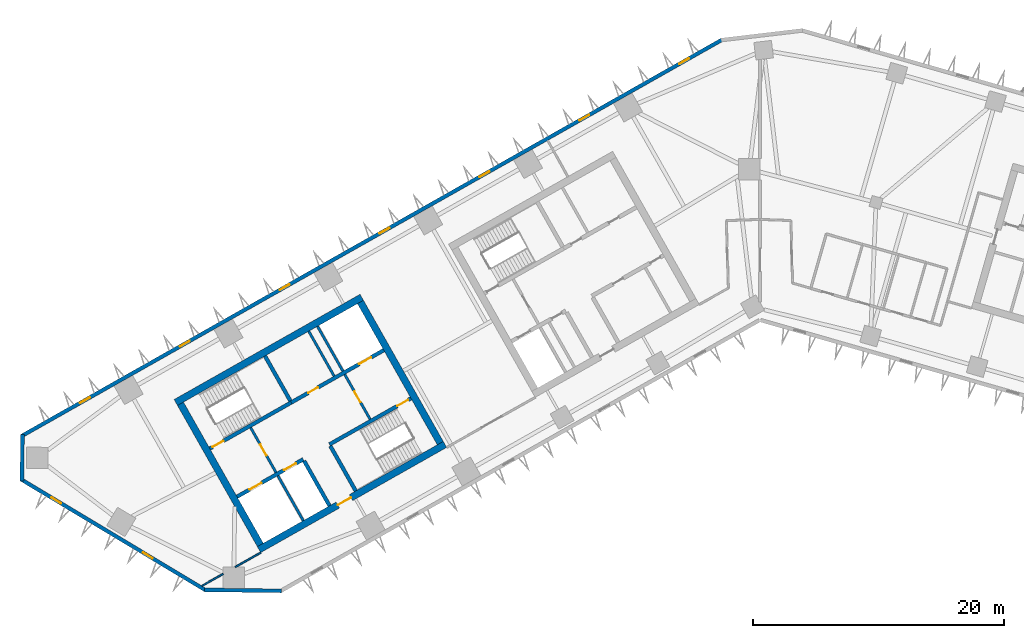
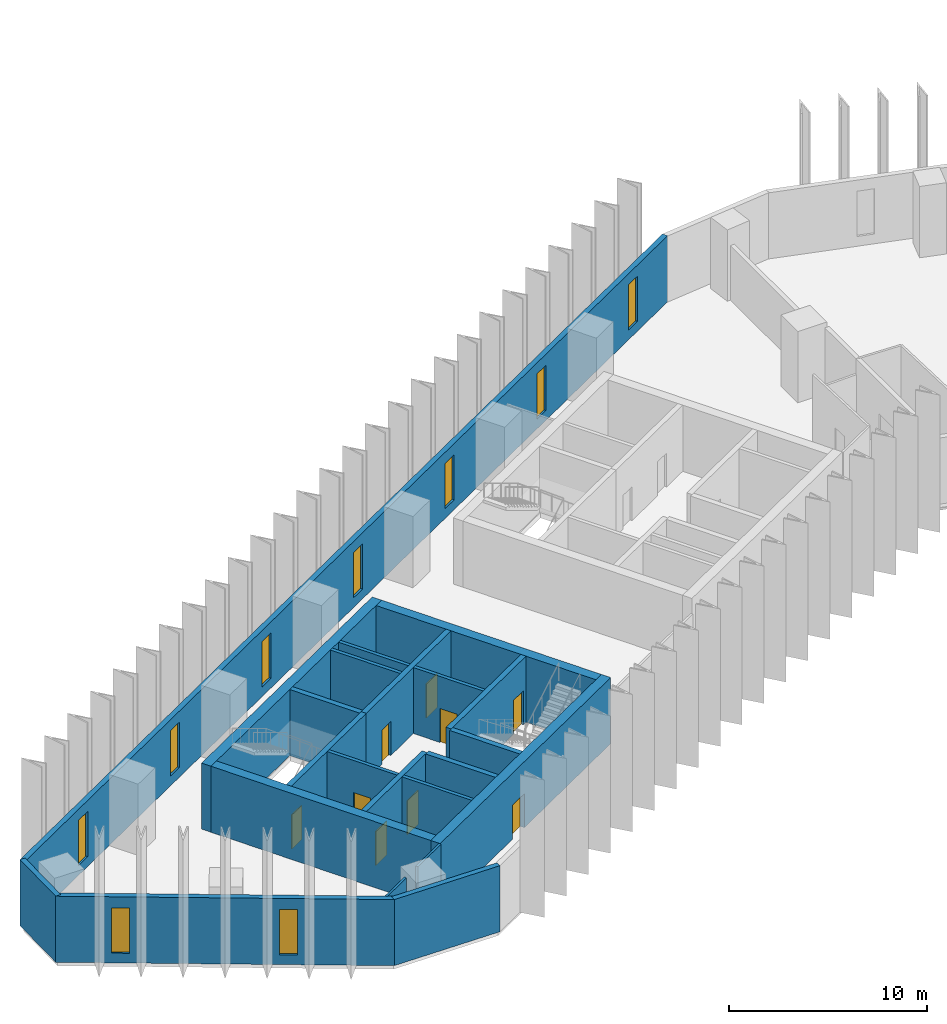
# One storey, part 3 of 11: 22 walls, 9 doors, 9 windows, 18 openings.
"""IFC4 building model written with IfcOpenShell, lengths in metres."""

from ifc_helpers import new_model, si_unit, direction, frame, frame_2d, origin, place, context, subcontext, project, spatial, rectangle, extrude, material, layer, layer_set, type_object, element, fill, save


model = new_model("IFC4")

# Units and contexts
model_context = context("Model", 3, precision=1e-05, world=origin(), true_north=direction((0.0, 1.0)))
body_context = subcontext(model_context, "Body", "Model", "MODEL_VIEW")
ifc_project = project(units=[si_unit("LENGTHUNIT", "METRE"), si_unit("AREAUNIT", "SQUARE_METRE"), si_unit("VOLUMEUNIT", "CUBIC_METRE"), si_unit("PLANEANGLEUNIT", "RADIAN"), si_unit("MASSUNIT", "GRAM", prefix="KILO")], contexts=[model_context])

# Site, building, storey
site_placement = place(None, origin())
site = spatial("IfcSite", under=ifc_project, at=site_placement, CompositionType="ELEMENT")
building_placement = place(site_placement, origin())
building = spatial("IfcBuilding", under=site, at=building_placement, Name="Binnacle Exchange Tower", CompositionType="ELEMENT")
storey_placement = place(building_placement, frame((0.0, 0.0, 132.300048828125)))
storey = spatial("IfcBuildingStorey", under=building, at=storey_placement, Name="L27", CompositionType="ELEMENT", Elevation=132.300048828125)

# Wall, openings, doors
ifc_material_1 = material(Name="Concrete C70/85", Category="concrete")
ifc_layer_1 = layer(ifc_material_1, 0.300048828125)
ifc_layer_set_1 = layer_set([ifc_layer_1], Name="Core wall - front 300")
wall_type_1 = type_object("IfcWallType", Name="Core wall - front 300", PredefinedType="SOLIDWALL", material=ifc_layer_set_1)
wall_1_placement = place(storey_placement, frame((-41.599609375, 33.936279296875, 0.0), z_axis=(0.0, 0.0, 1.0), x_axis=(0.870348557882, 0.492436176365, 0.0)))
wall_1 = element("IfcWall", 1, at=wall_1_placement, inside=storey, type_object=wall_type_1, Name="Core wall CRWA2", PredefinedType="SOLIDWALL", context=body_context, shape_type="SweptSolid", body=[
    extrude(rectangle(XDim=6.050048828125, YDim=0.300048828125, at=frame_2d((3.02490234375, 0.0))), origin(), (0.0, 0.0, 1.0), 4.079833984375),
])
opening_1_placement = place(wall_1_placement, frame((1.14990234375, 0.0, 0.0)))
opening_1 = element("IfcOpeningElement", 2, at=opening_1_placement, cuts=wall_1, Name="Opening LD12", PredefinedType="OPENING", context=body_context, shape_type="SweptSolid", body=[
    extrude(rectangle(XDim=1.10009765625, YDim=2.10009765625, at=frame_2d((0.550048828125, 1.050048828125))), frame((0.0, 0.159912109375, 0.0), z_axis=(0.0, -1.0, 0.0), x_axis=(1.0, 0.0, 0.0)), (0.0, 0.0, 1.0), 0.320068359375),
])
opening_2_placement = place(wall_1_placement, frame((4.300048828125, 0.0, 0.0)))
opening_2 = element("IfcOpeningElement", 3, at=opening_2_placement, cuts=wall_1, Name="Opening LD8", PredefinedType="OPENING", context=body_context, shape_type="SweptSolid", body=[
    extrude(rectangle(XDim=1.10009765625, YDim=2.10009765625, at=frame_2d((0.550048828125, 1.050048828125))), frame((0.0, 0.159912109375, 0.0), z_axis=(0.0, -1.0, 0.0), x_axis=(1.0, 0.0, 0.0)), (0.0, 0.0, 1.0), 0.320068359375),
])
ifc_material_2 = material(Name="Steel door leaf", Category="steel")
door_type_1 = type_object("IfcDoorType", Name="Fire door - lift landing 1100", OperationType="NOTDEFINED", PredefinedType="DOOR", material=ifc_material_2)
door_1_placement = place(opening_1_placement, origin())
door_1 = element("IfcDoor", 4, at=door_1_placement, inside=storey, type_object=door_type_1, Name="Landing door LD12 L27", OperationType="DOUBLE_DOOR_SLIDING", OverallHeight=2.10009765625, OverallWidth=1.10009765625, PredefinedType="DOOR", context=body_context, shape_type="SweptSolid", body=[
    extrude(rectangle(XDim=1.10009765625, YDim=2.10009765625, at=frame_2d((0.550048828125, 1.050048828125))), frame((0.0, 0.02490234375, 0.0), z_axis=(0.0, -1.0, 0.0), x_axis=(1.0, 0.0, 0.0)), (0.0, 0.0, 1.0), 0.050048828125),
])
fill(opening_1, door_1)
door_2_placement = place(opening_2_placement, origin())
door_2 = element("IfcDoor", 5, at=door_2_placement, inside=storey, type_object=door_type_1, Name="Landing door LD8 L27", OperationType="DOUBLE_DOOR_SLIDING", OverallHeight=2.10009765625, OverallWidth=1.10009765625, PredefinedType="DOOR", context=body_context, shape_type="SweptSolid", body=[
    extrude(rectangle(XDim=1.10009765625, YDim=2.10009765625, at=frame_2d((0.550048828125, 1.050048828125))), frame((0.0, 0.02490234375, 0.0), z_axis=(0.0, -1.0, 0.0), x_axis=(1.0, 0.0, 0.0)), (0.0, 0.0, 1.0), 0.050048828125),
])
fill(opening_2, door_2)

wall_2_placement = place(storey_placement, frame((-37.281982421875, 41.4345703125, 0.0), z_axis=(0.0, 0.0, 1.0), x_axis=(0.870359895813, 0.492416136779, 0.0)))
wall_2 = element("IfcWall", 6, at=wall_2_placement, inside=storey, type_object=wall_type_1, Name="Core wall CRWA5", PredefinedType="SOLIDWALL", context=body_context, shape_type="SweptSolid", body=[
    extrude(rectangle(XDim=8.449951171875, YDim=0.300048828125, at=frame_2d((4.22509765625, 0.0))), origin(), (0.0, 0.0, 1.0), 4.079833984375),
])
opening_3_placement = place(wall_2_placement, frame((6.199951171875, 0.0, 0.0)))
opening_3 = element("IfcOpeningElement", 7, at=opening_3_placement, cuts=wall_2, Name="Opening LD13", PredefinedType="OPENING", context=body_context, shape_type="SweptSolid", body=[
    extrude(rectangle(XDim=1.10009765625, YDim=2.10009765625, at=frame_2d((0.550048828125, 1.050048828125))), frame((0.0, 0.159912109375, 0.0), z_axis=(0.0, -1.0, 0.0), x_axis=(1.0, 0.0, 0.0)), (0.0, 0.0, 1.0), 0.320068359375),
])
opening_4_placement = place(wall_2_placement, frame((1.550048828125, 0.0, 0.0)))
opening_4 = element("IfcOpeningElement", 8, at=opening_4_placement, cuts=wall_2, Name="Opening DA10", PredefinedType="OPENING", context=body_context, shape_type="SweptSolid", body=[
    extrude(rectangle(XDim=0.89990234375, YDim=2.10009765625, at=frame_2d((0.449951171875, 1.050048828125))), frame((0.0, 0.159912109375, 0.0), z_axis=(0.0, -1.0, 0.0), x_axis=(1.0, 0.0, 0.0)), (0.0, 0.0, 1.0), 0.320068359375),
])
door_3_placement = place(opening_3_placement, origin())
door_3 = element("IfcDoor", 9, at=door_3_placement, inside=storey, type_object=door_type_1, Name="Landing door LD13 L27", OperationType="DOUBLE_DOOR_SLIDING", OverallHeight=2.10009765625, OverallWidth=1.10009765625, PredefinedType="DOOR", context=body_context, shape_type="SweptSolid", body=[
    extrude(rectangle(XDim=1.10009765625, YDim=2.10009765625, at=frame_2d((0.550048828125, 1.050048828125))), frame((0.0, 0.02490234375, 0.0), z_axis=(0.0, -1.0, 0.0), x_axis=(1.0, 0.0, 0.0)), (0.0, 0.0, 1.0), 0.050048828125),
])
fill(opening_3, door_3)
door_type_2 = type_object("IfcDoorType", Name="Fire door 900", OperationType="NOTDEFINED", PredefinedType="DOOR", material=ifc_material_2)
door_4_placement = place(opening_4_placement, origin())
door_4 = element("IfcDoor", 10, at=door_4_placement, inside=storey, type_object=door_type_2, Name="Core room door TELECOM RISER ROOM", OperationType="SINGLE_SWING_LEFT", OverallHeight=2.10009765625, OverallWidth=0.89990234375, PredefinedType="DOOR", context=body_context, shape_type="SweptSolid", body=[
    extrude(rectangle(XDim=0.89990234375, YDim=2.10009765625, at=frame_2d((0.449951171875, 1.050048828125))), frame((0.0, 0.02490234375, 0.0), z_axis=(0.0, -1.0, 0.0), x_axis=(1.0, 0.0, 0.0)), (0.0, 0.0, 1.0), 0.050048828125),
])
fill(opening_4, door_4)

# Wall
wall_3_placement = place(storey_placement, frame((-36.260009765625, 36.784912109375, 0.0), z_axis=(0.0, 0.0, 1.0), x_axis=(0.492408451753, -0.87036424366, 0.0)))
element("IfcWall", 11, at=wall_3_placement, inside=storey, type_object=wall_type_1, Name="Core wall CRWA13", PredefinedType="SOLIDWALL", context=body_context, shape_type="SweptSolid", body=[
    extrude(rectangle(XDim=4.099853515625, YDim=0.300048828125, at=frame_2d((2.0498046875, 0.0))), origin(), (0.0, 0.0, 1.0), 4.079833984375),
])

# Wall, opening, door
ifc_layer_2 = layer(ifc_material_1, 0.550048828125)
ifc_layer_set_2 = layer_set([ifc_layer_2], Name="Core wall - outer 550")
wall_type_2 = type_object("IfcWallType", Name="Core wall - outer 550", PredefinedType="SOLIDWALL", material=ifc_layer_set_2)
wall_4_placement = place(storey_placement, frame((-39.85009765625, 29.727294921875, 0.0), z_axis=(0.0, 0.0, 1.0), x_axis=(0.870359753402, 0.492416388494, 0.0)))
wall_4 = element("IfcWall", 12, at=wall_4_placement, inside=storey, type_object=wall_type_2, Name="Core wall CRWA1", PredefinedType="SOLIDWALL", context=body_context, shape_type="SweptSolid", body=[
    extrude(rectangle(XDim=17.0, YDim=0.550048828125, at=frame_2d((8.5, 0.0))), origin(), (0.0, 0.0, 1.0), 4.079833984375),
])
opening_5_placement = place(wall_4_placement, frame((7.199951171875, 0.0, 0.0)))
opening_5 = element("IfcOpeningElement", 13, at=opening_5_placement, cuts=wall_4, Name="Opening DA7", PredefinedType="OPENING", context=body_context, shape_type="SweptSolid", body=[
    extrude(rectangle(XDim=1.199951171875, YDim=2.10009765625, at=frame_2d((0.60009765625, 1.050048828125))), frame((0.0, 0.284912109375, 0.0), z_axis=(0.0, -1.0, 0.0), x_axis=(1.0, 0.0, 0.0)), (0.0, 0.0, 1.0), 0.570068359375),
])
door_type_3 = type_object("IfcDoorType", Name="Fire door 1200", OperationType="NOTDEFINED", PredefinedType="DOOR", material=ifc_material_2)
door_5_placement = place(opening_5_placement, frame((1.199951171875, 0.0, 0.0), z_axis=(0.0, 0.0, 1.0), x_axis=(-1.0, 0.0, 0.0)))
door_5 = element("IfcDoor", 14, at=door_5_placement, inside=storey, type_object=door_type_3, Name="Lift lobby entrance door core A", OperationType="SINGLE_SWING_RIGHT", OverallHeight=2.10009765625, OverallWidth=1.199951171875, PredefinedType="DOOR", context=body_context, shape_type="SweptSolid", body=[
    extrude(rectangle(XDim=1.199951171875, YDim=2.10009765625, at=frame_2d((0.60009765625, 1.050048828125))), frame((0.0, 0.02490234375, 0.0), z_axis=(0.0, -1.0, 0.0), x_axis=(1.0, 0.0, 0.0)), (0.0, 0.0, 1.0), 0.050048828125),
])
fill(opening_5, door_5)

# Walls
wall_5_placement = place(storey_placement, frame((-46.47314453125, 41.43359375, 0.0), z_axis=(0.0, 0.0, 1.0), x_axis=(0.870359753402, 0.492416388494, 0.0)))
element("IfcWall", 15, at=wall_5_placement, inside=storey, type_object=wall_type_2, Name="Core wall CRWA6", PredefinedType="SOLIDWALL", context=body_context, shape_type="SweptSolid", body=[
    extrude(rectangle(XDim=17.0, YDim=0.550048828125, at=frame_2d((8.5, 0.0))), origin(), (0.0, 0.0, 1.0), 4.079833984375),
])
wall_6_placement = place(storey_placement, frame((-46.098388671875, 41.32958984375, 0.0), z_axis=(0.0, 0.0, 1.0), x_axis=(0.492418910884, -0.870358326325, 0.0)))
element("IfcWall", 16, at=wall_6_placement, inside=storey, type_object=wall_type_2, Name="Core wall CRWA7", PredefinedType="SOLIDWALL", context=body_context, shape_type="SweptSolid", body=[
    extrude(rectangle(XDim=12.900146484375, YDim=0.550048828125, at=frame_2d((6.4501953125, 0.0))), origin(), (0.0, 0.0, 1.0), 4.079833984375),
])
wall_7_placement = place(storey_placement, frame((-31.781005859375, 49.429931640625, 0.0), z_axis=(0.0, 0.0, 1.0), x_axis=(0.492427022044, -0.870353737259, 0.0)))
element("IfcWall", 17, at=wall_7_placement, inside=storey, type_object=wall_type_2, Name="Core wall CRWA22", PredefinedType="SOLIDWALL", context=body_context, shape_type="SweptSolid", body=[
    extrude(rectangle(XDim=12.89990234375, YDim=0.550048828125, at=frame_2d((6.449951171875, 0.0))), origin(), (0.0, 0.0, 1.0), 4.079833984375),
])

# Wall, opening, door
ifc_layer_3 = layer(ifc_material_1, 0.300048828125)
ifc_layer_set_3 = layer_set([ifc_layer_3], Name="Core wall - stair 300")
wall_type_3 = type_object("IfcWallType", Name="Core wall - stair 300", PredefinedType="SOLIDWALL", material=ifc_layer_set_3)
wall_8_placement = place(storey_placement, frame((-34.2451171875, 38.097412109375, 0.0), z_axis=(0.0, 0.0, 1.0), x_axis=(0.870360741098, 0.49241464271, 0.0)))
wall_8 = element("IfcWall", 18, at=wall_8_placement, inside=storey, type_object=wall_type_3, Name="Core wall CRWA3", PredefinedType="SOLIDWALL", context=body_context, shape_type="SweptSolid", body=[
    extrude(rectangle(XDim=7.449951171875, YDim=0.300048828125, at=frame_2d((3.72509765625, 0.0))), origin(), (0.0, 0.0, 1.0), 4.079833984375),
])
opening_6_placement = place(wall_8_placement, frame((6.199951171875, 0.0, 0.0)))
opening_6 = element("IfcOpeningElement", 19, at=opening_6_placement, cuts=wall_8, Name="Opening DA2", PredefinedType="OPENING", context=body_context, shape_type="SweptSolid", body=[
    extrude(rectangle(XDim=1.0, YDim=2.10009765625, at=frame_2d((0.5, 1.050048828125))), frame((0.0, 0.159912109375, 0.0), z_axis=(0.0, -1.0, 0.0), x_axis=(1.0, 0.0, 0.0)), (0.0, 0.0, 1.0), 0.320068359375),
])
door_type_4 = type_object("IfcDoorType", Name="Fire door 1000", OperationType="NOTDEFINED", PredefinedType="DOOR", material=ifc_material_2)
door_6_placement = place(opening_6_placement, frame((1.0, 0.0, 0.0), z_axis=(0.0, 0.0, 1.0), x_axis=(-1.0, 0.0, 0.0)))
door_6 = element("IfcDoor", 20, at=door_6_placement, inside=storey, type_object=door_type_4, Name="Stair door ST-A2", OperationType="SINGLE_SWING_LEFT", OverallHeight=2.10009765625, OverallWidth=1.0, PredefinedType="DOOR", context=body_context, shape_type="SweptSolid", body=[
    extrude(rectangle(XDim=1.0, YDim=2.10009765625, at=frame_2d((0.5, 1.050048828125))), frame((0.0, 0.02490234375, 0.0), z_axis=(0.0, -1.0, 0.0), x_axis=(1.0, 0.0, 0.0)), (0.0, 0.0, 1.0), 0.050048828125),
])
fill(opening_6, door_6)

wall_9_placement = place(storey_placement, frame((-43.76611328125, 37.765869140625, 0.0), z_axis=(0.0, 0.0, 1.0), x_axis=(0.870346696097, 0.492439466932, 0.0)))
wall_9 = element("IfcWall", 21, at=wall_9_placement, inside=storey, type_object=wall_type_3, Name="Core wall CRWA4", PredefinedType="SOLIDWALL", context=body_context, shape_type="SweptSolid", body=[
    extrude(rectangle(XDim=7.449951171875, YDim=0.300048828125, at=frame_2d((3.72509765625, 0.0))), origin(), (0.0, 0.0, 1.0), 4.079833984375),
])
opening_7_placement = place(wall_9_placement, frame((0.25, 0.0, 0.0)))
opening_7 = element("IfcOpeningElement", 22, at=opening_7_placement, cuts=wall_9, Name="Opening DA1", PredefinedType="OPENING", context=body_context, shape_type="SweptSolid", body=[
    extrude(rectangle(XDim=1.0, YDim=2.10009765625, at=frame_2d((0.5, 1.050048828125))), frame((0.0, 0.159912109375, 0.0), z_axis=(0.0, -1.0, 0.0), x_axis=(1.0, 0.0, 0.0)), (0.0, 0.0, 1.0), 0.320068359375),
])
door_7_placement = place(opening_7_placement, origin())
door_7 = element("IfcDoor", 23, at=door_7_placement, inside=storey, type_object=door_type_4, Name="Stair door ST-A1", OperationType="SINGLE_SWING_LEFT", OverallHeight=2.10009765625, OverallWidth=1.0, PredefinedType="DOOR", context=body_context, shape_type="SweptSolid", body=[
    extrude(rectangle(XDim=1.0, YDim=2.10009765625, at=frame_2d((0.5, 1.050048828125))), frame((0.0, 0.02490234375, 0.0), z_axis=(0.0, -1.0, 0.0), x_axis=(1.0, 0.0, 0.0)), (0.0, 0.0, 1.0), 0.050048828125),
])
fill(opening_7, door_7)

# Walls
for number, where, z_axis, x_axis, name in (
    (24, (-39.375, 45.133544921875, 0.0), (0.0, 0.0, 1.0), (0.492428039142, -0.870353161807, 0.0), "Core wall CRWA14"),
    (25, (-34.171142578125, 37.966796875, 0.0), (0.0, 0.0, 1.0), (0.492382931784, -0.870378681085, 0.0), "Core wall CRWA16"),
):
    element("IfcWall", number, at=place(storey_placement, frame(where, z_axis=z_axis, x_axis=x_axis)), inside=storey, type_object=wall_type_3, Name=name, PredefinedType="SOLIDWALL", context=body_context, shape_type="SweptSolid", body=[
        extrude(rectangle(XDim=4.10009765625, YDim=0.300048828125, at=frame_2d((2.050048828125, 0.0))), origin(), (0.0, 0.0, 1.0), 4.079833984375),
    ])

# Wall, openings, windows
ifc_material_3 = material(Name="Bronze aluminium cladding", Category="aluminium")
ifc_layer_4 = layer(ifc_material_3, 0.300048828125)
ifc_layer_set_4 = layer_set([ifc_layer_4], Name="External wall - spandrel 300")
wall_type_4 = type_object("IfcWallType", Name="External wall - spandrel 300", PredefinedType="STANDARD", material=ifc_layer_set_4)
wall_10_placement = place(storey_placement, frame((-58.744873046875, 38.763671875, 0.0), z_axis=(0.0, 0.0, 1.0), x_axis=(0.870355811726, 0.492423355453, 0.0)))
wall_10 = element("IfcWall", 26, at=wall_10_placement, inside=storey, type_object=wall_type_4, Name="External wall EW-F03 L27", PredefinedType="STANDARD", context=body_context, shape_type="SweptSolid", body=[
    extrude(rectangle(XDim=64.025390625, YDim=0.300048828125, at=frame_2d((32.0126953125, 0.0))), origin(), (0.0, 0.0, 1.0), 4.079833984375),
])
opening_8_placement = place(wall_10_placement, frame((60.12158203125, 0.0, 0.60009765625)))
opening_8 = element("IfcOpeningElement", 27, at=opening_8_placement, cuts=wall_10, Name="Opening WS2", PredefinedType="OPENING", context=body_context, shape_type="SweptSolid", body=[
    extrude(rectangle(XDim=0.89990234375, YDim=2.800048828125, at=frame_2d((0.449951171875, 1.39990234375))), frame((0.0, 0.159912109375, 0.0), z_axis=(0.0, -1.0, 0.0), x_axis=(1.0, 0.0, 0.0)), (0.0, 0.0, 1.0), 0.320068359375),
])
opening_9_placement = place(wall_10_placement, frame((50.99169921875, 0.0, 0.60009765625)))
opening_9 = element("IfcOpeningElement", 28, at=opening_9_placement, cuts=wall_10, Name="Opening WS2", PredefinedType="OPENING", context=body_context, shape_type="SweptSolid", body=[
    extrude(rectangle(XDim=0.89990234375, YDim=2.800048828125, at=frame_2d((0.449951171875, 1.39990234375))), frame((0.0, 0.159912109375, 0.0), z_axis=(0.0, -1.0, 0.0), x_axis=(1.0, 0.0, 0.0)), (0.0, 0.0, 1.0), 0.320068359375),
])
opening_10_placement = place(wall_10_placement, frame((41.86181640625, 0.0, 0.60009765625)))
opening_10 = element("IfcOpeningElement", 29, at=opening_10_placement, cuts=wall_10, Name="Opening WS2", PredefinedType="OPENING", context=body_context, shape_type="SweptSolid", body=[
    extrude(rectangle(XDim=0.89990234375, YDim=2.800048828125, at=frame_2d((0.449951171875, 1.39990234375))), frame((0.0, 0.159912109375, 0.0), z_axis=(0.0, -1.0, 0.0), x_axis=(1.0, 0.0, 0.0)), (0.0, 0.0, 1.0), 0.320068359375),
])
opening_11_placement = place(wall_10_placement, frame((32.73193359375, 0.0, 0.60009765625)))
opening_11 = element("IfcOpeningElement", 30, at=opening_11_placement, cuts=wall_10, Name="Opening WS2", PredefinedType="OPENING", context=body_context, shape_type="SweptSolid", body=[
    extrude(rectangle(XDim=0.89990234375, YDim=2.800048828125, at=frame_2d((0.449951171875, 1.39990234375))), frame((0.0, 0.159912109375, 0.0), z_axis=(0.0, -1.0, 0.0), x_axis=(1.0, 0.0, 0.0)), (0.0, 0.0, 1.0), 0.320068359375),
])
opening_12_placement = place(wall_10_placement, frame((23.60205078125, 0.0, 0.60009765625)))
opening_12 = element("IfcOpeningElement", 31, at=opening_12_placement, cuts=wall_10, Name="Opening WS2", PredefinedType="OPENING", context=body_context, shape_type="SweptSolid", body=[
    extrude(rectangle(XDim=0.89990234375, YDim=2.800048828125, at=frame_2d((0.449951171875, 1.39990234375))), frame((0.0, 0.159912109375, 0.0), z_axis=(0.0, -1.0, 0.0), x_axis=(1.0, 0.0, 0.0)), (0.0, 0.0, 1.0), 0.320068359375),
])
opening_13_placement = place(wall_10_placement, frame((14.47216796875, 0.0, 0.60009765625)))
opening_13 = element("IfcOpeningElement", 32, at=opening_13_placement, cuts=wall_10, Name="Opening WS2", PredefinedType="OPENING", context=body_context, shape_type="SweptSolid", body=[
    extrude(rectangle(XDim=0.89990234375, YDim=2.800048828125, at=frame_2d((0.449951171875, 1.39990234375))), frame((0.0, 0.159912109375, 0.0), z_axis=(0.0, -1.0, 0.0), x_axis=(1.0, 0.0, 0.0)), (0.0, 0.0, 1.0), 0.320068359375),
])
opening_14_placement = place(wall_10_placement, frame((5.34228515625, 0.0, 0.60009765625)))
opening_14 = element("IfcOpeningElement", 33, at=opening_14_placement, cuts=wall_10, Name="Opening WS2", PredefinedType="OPENING", context=body_context, shape_type="SweptSolid", body=[
    extrude(rectangle(XDim=0.89990234375, YDim=2.800048828125, at=frame_2d((0.449951171875, 1.39990234375))), frame((0.0, 0.159912109375, 0.0), z_axis=(0.0, -1.0, 0.0), x_axis=(1.0, 0.0, 0.0)), (0.0, 0.0, 1.0), 0.320068359375),
])
ifc_material_4 = material(Name="Bronze anodised aluminium frame", Category="aluminium")
window_type = type_object("IfcWindowType", Name="WS2 WINDOW 900x2800", PartitioningType="SINGLE_PANEL", PredefinedType="WINDOW", material=ifc_material_4)
window_1_placement = place(opening_8_placement, origin())
window_1 = element("IfcWindow", 34, at=window_1_placement, inside=storey, type_object=window_type, Name="Window WS2 L27", OverallHeight=2.800048828125, OverallWidth=0.89990234375, PartitioningType="SINGLE_PANEL", PredefinedType="WINDOW", context=body_context, shape_type="SweptSolid", body=[
    extrude(rectangle(XDim=0.89990234375, YDim=2.800048828125, at=frame_2d((0.449951171875, 1.39990234375))), frame((0.0, 0.030029296875, 0.0), z_axis=(0.0, -1.0, 0.0), x_axis=(1.0, 0.0, 0.0)), (0.0, 0.0, 1.0), 0.06005859375),
])
fill(opening_8, window_1)
window_2_placement = place(opening_9_placement, origin())
window_2 = element("IfcWindow", 35, at=window_2_placement, inside=storey, type_object=window_type, Name="Window WS2 L27", OverallHeight=2.800048828125, OverallWidth=0.89990234375, PartitioningType="SINGLE_PANEL", PredefinedType="WINDOW", context=body_context, shape_type="SweptSolid", body=[
    extrude(rectangle(XDim=0.89990234375, YDim=2.800048828125, at=frame_2d((0.449951171875, 1.39990234375))), frame((0.0, 0.030029296875, 0.0), z_axis=(0.0, -1.0, 0.0), x_axis=(1.0, 0.0, 0.0)), (0.0, 0.0, 1.0), 0.06005859375),
])
fill(opening_9, window_2)
window_3_placement = place(opening_10_placement, origin())
window_3 = element("IfcWindow", 36, at=window_3_placement, inside=storey, type_object=window_type, Name="Window WS2 L27", OverallHeight=2.800048828125, OverallWidth=0.89990234375, PartitioningType="SINGLE_PANEL", PredefinedType="WINDOW", context=body_context, shape_type="SweptSolid", body=[
    extrude(rectangle(XDim=0.89990234375, YDim=2.800048828125, at=frame_2d((0.449951171875, 1.39990234375))), frame((0.0, 0.030029296875, 0.0), z_axis=(0.0, -1.0, 0.0), x_axis=(1.0, 0.0, 0.0)), (0.0, 0.0, 1.0), 0.06005859375),
])
fill(opening_10, window_3)
window_4_placement = place(opening_11_placement, origin())
window_4 = element("IfcWindow", 37, at=window_4_placement, inside=storey, type_object=window_type, Name="Window WS2 L27", OverallHeight=2.800048828125, OverallWidth=0.89990234375, PartitioningType="SINGLE_PANEL", PredefinedType="WINDOW", context=body_context, shape_type="SweptSolid", body=[
    extrude(rectangle(XDim=0.89990234375, YDim=2.800048828125, at=frame_2d((0.449951171875, 1.39990234375))), frame((0.0, 0.030029296875, 0.0), z_axis=(0.0, -1.0, 0.0), x_axis=(1.0, 0.0, 0.0)), (0.0, 0.0, 1.0), 0.06005859375),
])
fill(opening_11, window_4)
window_5_placement = place(opening_12_placement, origin())
window_5 = element("IfcWindow", 38, at=window_5_placement, inside=storey, type_object=window_type, Name="Window WS2 L27", OverallHeight=2.800048828125, OverallWidth=0.89990234375, PartitioningType="SINGLE_PANEL", PredefinedType="WINDOW", context=body_context, shape_type="SweptSolid", body=[
    extrude(rectangle(XDim=0.89990234375, YDim=2.800048828125, at=frame_2d((0.449951171875, 1.39990234375))), frame((0.0, 0.030029296875, 0.0), z_axis=(0.0, -1.0, 0.0), x_axis=(1.0, 0.0, 0.0)), (0.0, 0.0, 1.0), 0.06005859375),
])
fill(opening_12, window_5)
window_6_placement = place(opening_13_placement, origin())
window_6 = element("IfcWindow", 39, at=window_6_placement, inside=storey, type_object=window_type, Name="Window WS2 L27", OverallHeight=2.800048828125, OverallWidth=0.89990234375, PartitioningType="SINGLE_PANEL", PredefinedType="WINDOW", context=body_context, shape_type="SweptSolid", body=[
    extrude(rectangle(XDim=0.89990234375, YDim=2.800048828125, at=frame_2d((0.449951171875, 1.39990234375))), frame((0.0, 0.030029296875, 0.0), z_axis=(0.0, -1.0, 0.0), x_axis=(1.0, 0.0, 0.0)), (0.0, 0.0, 1.0), 0.06005859375),
])
fill(opening_13, window_6)
window_7_placement = place(opening_14_placement, origin())
window_7 = element("IfcWindow", 40, at=window_7_placement, inside=storey, type_object=window_type, Name="Window WS2 L27", OverallHeight=2.800048828125, OverallWidth=0.89990234375, PartitioningType="SINGLE_PANEL", PredefinedType="WINDOW", context=body_context, shape_type="SweptSolid", body=[
    extrude(rectangle(XDim=0.89990234375, YDim=2.800048828125, at=frame_2d((0.449951171875, 1.39990234375))), frame((0.0, 0.030029296875, 0.0), z_axis=(0.0, -1.0, 0.0), x_axis=(1.0, 0.0, 0.0)), (0.0, 0.0, 1.0), 0.06005859375),
])
fill(opening_14, window_7)

# Wall
wall_11_placement = place(storey_placement, frame((-58.717041015625, 35.19384765625, 0.0), z_axis=(0.0, 0.0, 1.0), x_axis=(0.013069053407, 0.999914596275, 0.0)))
element("IfcWall", 41, at=wall_11_placement, inside=storey, type_object=wall_type_4, Name="External wall EW-F04 L27", PredefinedType="STANDARD", context=body_context, shape_type="SweptSolid", body=[
    extrude(rectangle(XDim=3.69873046875, YDim=0.300048828125, at=frame_2d((1.849365234375, 0.0))), origin(), (0.0, 0.0, 1.0), 4.079833984375),
])

# Wall, openings, windows
wall_12_placement = place(storey_placement, frame((-44.109375, 26.503662109375, 0.0), z_axis=(0.0, 0.0, 1.0), x_axis=(-0.857169502585, 0.515034410344, 0.0)))
wall_12 = element("IfcWall", 42, at=wall_12_placement, inside=storey, type_object=wall_type_4, Name="External wall EW-F05 L27", PredefinedType="STANDARD", context=body_context, shape_type="SweptSolid", body=[
    extrude(rectangle(XDim=17.126708984375, YDim=0.300048828125, at=frame_2d((8.5634765625, 0.0))), origin(), (0.0, 0.0, 1.0), 4.079833984375),
])
opening_15_placement = place(wall_12_placement, frame((13.403076171875, 0.0, 0.60009765625)))
opening_15 = element("IfcOpeningElement", 43, at=opening_15_placement, cuts=wall_12, Name="Opening WS2", PredefinedType="OPENING", context=body_context, shape_type="SweptSolid", body=[
    extrude(rectangle(XDim=0.89990234375, YDim=2.800048828125, at=frame_2d((0.449951171875, 1.39990234375))), frame((0.0, 0.159912109375, 0.0), z_axis=(0.0, -1.0, 0.0), x_axis=(1.0, 0.0, 0.0)), (0.0, 0.0, 1.0), 0.320068359375),
])
opening_16_placement = place(wall_12_placement, frame((4.903076171875, 0.0, 0.60009765625)))
opening_16 = element("IfcOpeningElement", 44, at=opening_16_placement, cuts=wall_12, Name="Opening WS2", PredefinedType="OPENING", context=body_context, shape_type="SweptSolid", body=[
    extrude(rectangle(XDim=0.89990234375, YDim=2.800048828125, at=frame_2d((0.449951171875, 1.39990234375))), frame((0.0, 0.159912109375, 0.0), z_axis=(0.0, -1.0, 0.0), x_axis=(1.0, 0.0, 0.0)), (0.0, 0.0, 1.0), 0.320068359375),
])
window_8_placement = place(opening_15_placement, origin())
window_8 = element("IfcWindow", 45, at=window_8_placement, inside=storey, type_object=window_type, Name="Window WS2 L27", OverallHeight=2.800048828125, OverallWidth=0.89990234375, PartitioningType="SINGLE_PANEL", PredefinedType="WINDOW", context=body_context, shape_type="SweptSolid", body=[
    extrude(rectangle(XDim=0.89990234375, YDim=2.800048828125, at=frame_2d((0.449951171875, 1.39990234375))), frame((0.0, 0.030029296875, 0.0), z_axis=(0.0, -1.0, 0.0), x_axis=(1.0, 0.0, 0.0)), (0.0, 0.0, 1.0), 0.06005859375),
])
fill(opening_15, window_8)
window_9_placement = place(opening_16_placement, origin())
window_9 = element("IfcWindow", 46, at=window_9_placement, inside=storey, type_object=window_type, Name="Window WS2 L27", OverallHeight=2.800048828125, OverallWidth=0.89990234375, PartitioningType="SINGLE_PANEL", PredefinedType="WINDOW", context=body_context, shape_type="SweptSolid", body=[
    extrude(rectangle(XDim=0.89990234375, YDim=2.800048828125, at=frame_2d((0.449951171875, 1.39990234375))), frame((0.0, 0.030029296875, 0.0), z_axis=(0.0, -1.0, 0.0), x_axis=(1.0, 0.0, 0.0)), (0.0, 0.0, 1.0), 0.06005859375),
])
fill(opening_16, window_9)

# Wall
wall_13_placement = place(storey_placement, frame((-38.057373046875, 26.44482421875, 0.0), z_axis=(0.0, 0.0, 1.0), x_axis=(-0.999914086342, 0.013108010296, 0.0)))
element("IfcWall", 47, at=wall_13_placement, inside=storey, type_object=wall_type_4, Name="External wall EW-F06 L27", PredefinedType="STANDARD", context=body_context, shape_type="SweptSolid", body=[
    extrude(rectangle(XDim=6.127685546875, YDim=0.300048828125, at=frame_2d((3.06396484375, 0.0))), origin(), (0.0, 0.0, 1.0), 4.079833984375),
])

# Wall, opening, door
ifc_material_5 = material(Name="Masonry block wall", Category="masonry")
ifc_layer_5 = layer(ifc_material_5, 0.199951171875)
ifc_layer_set_5 = layer_set([ifc_layer_5], Name="Fire wall - vestibule 200")
wall_type_5 = type_object("IfcWallType", Name="Fire wall - vestibule 200", PredefinedType="PARTITIONING", material=ifc_layer_set_5)
wall_14_placement = place(storey_placement, frame((-40.515625, 39.4326171875, 0.0), z_axis=(0.0, 0.0, 1.0), x_axis=(0.492453559952, -0.87033872216, 0.0)))
wall_14 = element("IfcWall", 48, at=wall_14_placement, inside=storey, type_object=wall_type_5, Name="Core wall CRWA10", PredefinedType="PARTITIONING", context=body_context, shape_type="SweptSolid", body=[
    extrude(rectangle(XDim=4.099853515625, YDim=0.199951171875, at=frame_2d((2.0498046875, 0.0))), origin(), (0.0, 0.0, 1.0), 4.079833984375),
])
opening_17_placement = place(wall_14_placement, frame((1.550048828125, 0.0, 0.0)))
opening_17 = element("IfcOpeningElement", 49, at=opening_17_placement, cuts=wall_14, Name="Opening DA3", PredefinedType="OPENING", context=body_context, shape_type="SweptSolid", body=[
    extrude(rectangle(XDim=1.0, YDim=2.10009765625, at=frame_2d((0.5, 1.050048828125))), frame((0.0, 0.10986328125, 0.0), z_axis=(0.0, -1.0, 0.0), x_axis=(1.0, 0.0, 0.0)), (0.0, 0.0, 1.0), 0.219970703125),
])
door_8_placement = place(opening_17_placement, frame((1.0, 0.0, 0.0), z_axis=(0.0, 0.0, 1.0), x_axis=(-1.0, 0.0, 0.0)))
door_8 = element("IfcDoor", 50, at=door_8_placement, inside=storey, type_object=door_type_4, Name="Vestibule door VEST-W", OperationType="SINGLE_SWING_LEFT", OverallHeight=2.10009765625, OverallWidth=1.0, PredefinedType="DOOR", context=body_context, shape_type="SweptSolid", body=[
    extrude(rectangle(XDim=1.0, YDim=2.10009765625, at=frame_2d((0.5, 1.050048828125))), frame((0.0, 0.02490234375, 0.0), z_axis=(0.0, -1.0, 0.0), x_axis=(1.0, 0.0, 0.0)), (0.0, 0.0, 1.0), 0.050048828125),
])
fill(opening_17, door_8)

wall_15_placement = place(storey_placement, frame((-33.030517578125, 43.66748046875, 0.0), z_axis=(0.0, 0.0, 1.0), x_axis=(0.492408451753, -0.87036424366, 0.0)))
wall_15 = element("IfcWall", 51, at=wall_15_placement, inside=storey, type_object=wall_type_5, Name="Core wall CRWA19", PredefinedType="PARTITIONING", context=body_context, shape_type="SweptSolid", body=[
    extrude(rectangle(XDim=4.099853515625, YDim=0.199951171875, at=frame_2d((2.0498046875, 0.0))), origin(), (0.0, 0.0, 1.0), 4.079833984375),
])
opening_18_placement = place(wall_15_placement, frame((1.550048828125, 0.0, 0.0)))
opening_18 = element("IfcOpeningElement", 52, at=opening_18_placement, cuts=wall_15, Name="Opening DA4", PredefinedType="OPENING", context=body_context, shape_type="SweptSolid", body=[
    extrude(rectangle(XDim=1.0, YDim=2.10009765625, at=frame_2d((0.5, 1.050048828125))), frame((0.0, 0.10986328125, 0.0), z_axis=(0.0, -1.0, 0.0), x_axis=(1.0, 0.0, 0.0)), (0.0, 0.0, 1.0), 0.219970703125),
])
door_9_placement = place(opening_18_placement, origin())
door_9 = element("IfcDoor", 53, at=door_9_placement, inside=storey, type_object=door_type_4, Name="Vestibule door VEST-E", OperationType="SINGLE_SWING_RIGHT", OverallHeight=2.10009765625, OverallWidth=1.0, PredefinedType="DOOR", context=body_context, shape_type="SweptSolid", body=[
    extrude(rectangle(XDim=1.0, YDim=2.10009765625, at=frame_2d((0.5, 1.050048828125))), frame((0.0, 0.02490234375, 0.0), z_axis=(0.0, -1.0, 0.0), x_axis=(1.0, 0.0, 0.0)), (0.0, 0.0, 1.0), 0.050048828125),
])
fill(opening_18, door_9)

# Walls
ifc_material_6 = material(Name="Gypsum partition")
ifc_layer_6 = layer(ifc_material_6, 0.125)
ifc_layer_set_6 = layer_set([ifc_layer_6], Name="Partition 125")
wall_type_6 = type_object("IfcWallType", Name="Partition 125", PredefinedType="PARTITIONING", material=ifc_layer_set_6)
wall_16_placement = place(storey_placement, frame((-44.385986328125, 26.844970703125, 0.0), z_axis=(0.0, 0.0, 1.0), x_axis=(0.870226201187, 0.492652371118, 0.0)))
element("IfcWall", 54, at=wall_16_placement, inside=storey, type_object=wall_type_6, Name="Partition W01", PredefinedType="PARTITIONING", context=body_context, shape_type="SweptSolid", body=[
    extrude(rectangle(XDim=1.9326171875, YDim=0.125, at=frame_2d((0.96630859375, 0.0))), origin(), (0.0, 0.0, 1.0), 4.079833984375),
])
wall_17_placement = place(storey_placement, frame((-41.738037109375, 28.343017578125, 0.0), z_axis=(0.0, 0.0, 1.0), x_axis=(0.870265350095, 0.492583211676, 0.0)))
element("IfcWall", 55, at=wall_17_placement, inside=storey, type_object=wall_type_6, Name="Partition W02", PredefinedType="PARTITIONING", context=body_context, shape_type="SweptSolid", body=[
    extrude(rectangle(XDim=2.324462890625, YDim=0.125, at=frame_2d((1.162109375, 0.0))), origin(), (0.0, 0.0, 1.0), 4.079833984375),
])
ifc_layer_7 = layer(ifc_material_5, 0.199951171875)
ifc_layer_set_7 = layer_set([ifc_layer_7], Name="Riser wall 200")
wall_type_7 = type_object("IfcWallType", Name="Riser wall 200", PredefinedType="SOLIDWALL", material=ifc_layer_set_7)
wall_18_placement = place(storey_placement, frame((-35.8935546875, 47.103271484375, 0.0), z_axis=(0.0, 0.0, 1.0), x_axis=(0.492428039142, -0.870353161807, 0.0)))
element("IfcWall", 56, at=wall_18_placement, inside=storey, type_object=wall_type_7, Name="Core wall CRWA18", PredefinedType="SOLIDWALL", context=body_context, shape_type="SweptSolid", body=[
    extrude(rectangle(XDim=4.10009765625, YDim=0.199951171875, at=frame_2d((2.050048828125, 0.0))), origin(), (0.0, 0.0, 1.0), 4.079833984375),
])
wall_19_placement = place(storey_placement, frame((-35.197265625, 47.4970703125, 0.0), z_axis=(0.0, 0.0, 1.0), x_axis=(0.492453559952, -0.87033872216, 0.0)))
element("IfcWall", 57, at=wall_19_placement, inside=storey, type_object=wall_type_7, Name="Core wall CRWA20", PredefinedType="SOLIDWALL", context=body_context, shape_type="SweptSolid", body=[
    extrude(rectangle(XDim=4.099853515625, YDim=0.199951171875, at=frame_2d((2.0498046875, 0.0))), origin(), (0.0, 0.0, 1.0), 4.079833984375),
])
ifc_layer_8 = layer(ifc_material_5, 0.199951171875)
ifc_layer_set_8 = layer_set([ifc_layer_8], Name="Shaft wall 200")
wall_type_8 = type_object("IfcWallType", Name="Shaft wall 200", PredefinedType="SOLIDWALL", material=ifc_layer_set_8)
wall_20_placement = place(storey_placement, frame((-38.348876953125, 35.603271484375, 0.0), z_axis=(0.0, 0.0, 1.0), x_axis=(0.492382931784, -0.870378681085, 0.0)))
element("IfcWall", 58, at=wall_20_placement, inside=storey, type_object=wall_type_8, Name="Core wall CRWA9", PredefinedType="SOLIDWALL", context=body_context, shape_type="SweptSolid", body=[
    extrude(rectangle(XDim=4.10009765625, YDim=0.199951171875, at=frame_2d((2.050048828125, 0.0))), origin(), (0.0, 0.0, 1.0), 4.079833984375),
])

save(model, "model.ifc")
